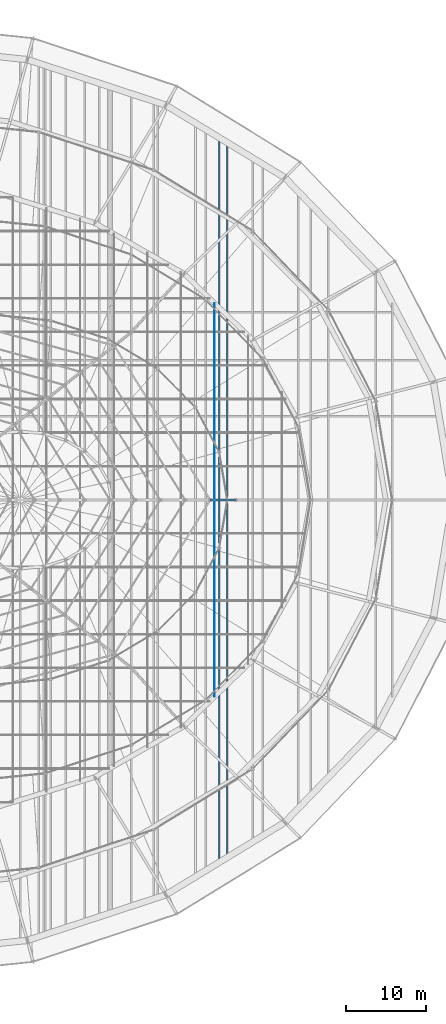
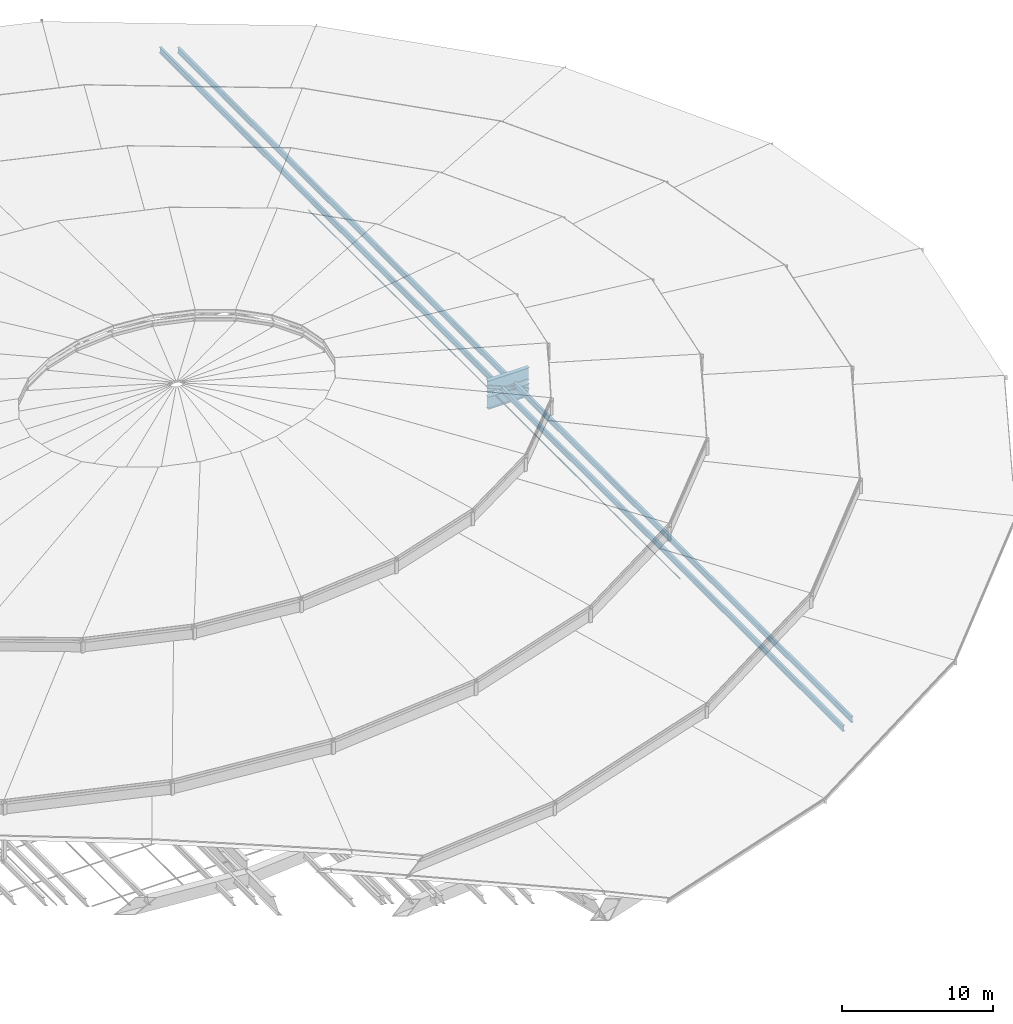
# One storey, part 92 of 184: 4 members, 2 beams.
"""IFC4 building model written with IfcOpenShell, lengths in metres."""

from ifc_helpers import new_model, si_unit, direction, frame, origin, origin_2d, place, context, subcontext, project, spatial, hollow_rectangle, circle, i_section, extrude, material, material_profile, profile_set, type_object, element, save


model = new_model("IFC4")

# Units and contexts
model_context = context("Model", 3, precision=1e-05, world=origin(), true_north=direction((0.0, 1.0)))
body_context = subcontext(model_context, "Body", "Model", "MODEL_VIEW")
ifc_project = project(units=[si_unit("LENGTHUNIT", "METRE"), si_unit("AREAUNIT", "SQUARE_METRE"), si_unit("VOLUMEUNIT", "CUBIC_METRE"), si_unit("PLANEANGLEUNIT", "RADIAN"), si_unit("MASSUNIT", "GRAM", prefix="KILO")], contexts=[model_context])

# Site, building, storey
site_placement = place(None, origin())
site = spatial("IfcSite", under=ifc_project, at=site_placement, CompositionType="ELEMENT")
building_placement = place(site_placement, origin())
building = spatial("IfcBuilding", under=site, at=building_placement, Name="Kalgoora Escarpment Arena", CompositionType="ELEMENT")
storey_placement = place(building_placement, frame((0.0, 0.0, 27.60009765625)))
storey = spatial("IfcBuildingStorey", under=building, at=storey_placement, Name="Roof Level", CompositionType="ELEMENT", Elevation=27.60009765625)

# Beams
ifc_material_1 = material(Name="Structural steel Grade 350 (350 MPa)", Category="steel")
ifc_material_profile_1 = material_profile(ifc_material_1, i_section(OverallWidth=0.300048828125, OverallDepth=1.010009765625, WebThickness=0.01611328125, FlangeThickness=0.030029296875, at=origin_2d()))
ifc_profile_set_1 = profile_set([ifc_material_profile_1], Name="Structural steel Grade 350 (350 MPa)")
beam_type = type_object("IfcBeamType", Name="BM-TRUSS-CHORD", PredefinedType="USERDEFINED", material=ifc_profile_set_1)
for number, where, z_axis, x_axis, name in (
    (1, (137.011962890625, 64.0, -1.650146484375), (-0.999998687203, 0.0, 0.001620368243), (0.0, -1.0, 0.0), "Radial ROOF TRUSS spine 1 bottom chord 2"),
    (2, (137.011962890625, 64.0, -0.35009765625), (-0.999994995918, 0.0, 0.003163564416), (0.0, -1.0, 0.0), "Radial ROOF TRUSS spine 1 top chord 2"),
):
    element("IfcBeam", number, at=place(storey_placement, frame(where, z_axis=z_axis, x_axis=x_axis)), inside=storey, type_object=beam_type, Name=name, ObjectType="GIRDER", PredefinedType="USERDEFINED", context=body_context, shape_type="SweptSolid", body=[
        extrude(i_section(OverallWidth=0.300048828125, OverallDepth=1.010009765625, WebThickness=0.01611328125, FlangeThickness=0.030029296875, at=origin_2d()), origin(), (0.0, 0.0, 1.0), 3.1640625),
    ])

# Members
ifc_material_2 = material(Name="High-tensile spiral strand steel Grade 450 (350 MPa)", Category="steel")
ifc_material_profile_2 = material_profile(ifc_material_2, circle(Radius=0.028076171875, at=origin_2d()))
ifc_profile_set_2 = profile_set([ifc_material_profile_2], Name="High-tensile spiral strand steel Grade 450 (350 MPa)")
member_type_1 = type_object("IfcMemberType", Name="MEM-CABLE-56", PredefinedType="USERDEFINED", material=ifc_profile_set_2)
member_1_placement = place(storey_placement, frame((134.39990234375, 39.399658203125, -1.190185546875), z_axis=(0.0, 1.0, 0.0), x_axis=(-1.0, 0.0, 0.0)))
element("IfcMember", 3, at=member_1_placement, inside=storey, type_object=member_type_1, Name="Roof saddle pretensioning cable Y-40", ObjectType="CABLE", PredefinedType="USERDEFINED", context=body_context, shape_type="SweptSolid", body=[
    extrude(circle(Radius=0.028076171875, at=origin_2d()), origin(), (0.0, 0.0, 1.0), 49.20068359375),
])
ifc_material_3 = material(Name="Structural steel AS/NZS 3679 (300 MPa)", Category="steel")
ifc_material_profile_3 = material_profile(ifc_material_3, i_section(OverallWidth=0.19091796875, OverallDepth=0.4599609375, WebThickness=0.010009765625, FlangeThickness=0.01611328125, at=origin_2d()))
ifc_profile_set_3 = profile_set([ifc_material_profile_3], Name="Structural steel AS/NZS 3679 (300 MPa)")
member_type_2 = type_object("IfcMemberType", Name="MEM-CARRIER-CHORD", PredefinedType="CHORD", material=ifc_profile_set_3)
member_2_placement = place(storey_placement, frame((136.0, 19.3271484375, -0.960205078125), z_axis=(0.0, 1.0, 0.0), x_axis=(-1.0, 0.0, 0.0)))
element("IfcMember", 4, at=member_2_placement, inside=storey, type_object=member_type_2, Name="Petal RP4 spanning carrier chord C01", PredefinedType="CHORD", context=body_context, shape_type="SweptSolid", body=[
    extrude(i_section(OverallWidth=0.19091796875, OverallDepth=0.4599609375, WebThickness=0.010009765625, FlangeThickness=0.01611328125, at=origin_2d()), origin(), (0.0, 0.0, 1.0), 89.345703125),
])
member_3_placement = place(storey_placement, frame((134.984619140625, 18.70849609375, -0.960205078125), z_axis=(0.0, 1.0, 0.0), x_axis=(-1.0, 0.0, 0.0)))
element("IfcMember", 5, at=member_3_placement, inside=storey, type_object=member_type_2, Name="Petal RP4 spanning carrier chord C02", PredefinedType="CHORD", context=body_context, shape_type="SweptSolid", body=[
    extrude(i_section(OverallWidth=0.19091796875, OverallDepth=0.4599609375, WebThickness=0.010009765625, FlangeThickness=0.01611328125, at=origin_2d()), origin(), (0.0, 0.0, 1.0), 90.5830078125),
])
ifc_material_4 = material(Name="Structural steel C350 (350 MPa)", Category="steel")
ifc_material_profile_4 = material_profile(ifc_material_4, hollow_rectangle(XDim=0.199951171875, YDim=0.199951171875, WallThickness=0.009033203125, at=origin_2d()))
ifc_profile_set_4 = profile_set([ifc_material_profile_4], Name="Structural steel C350 (350 MPa)")
member_type_3 = type_object("IfcMemberType", Name="MEM-TRUSS-DIAG", PredefinedType="BRACE", material=ifc_profile_set_4)
member_4_placement = place(storey_placement, frame((137.0, 64.0, -1.650146484375), z_axis=(-0.922892111594, 0.0, 0.385058632363), x_axis=(0.0, 1.0, 0.0)))
element("IfcMember", 6, at=member_4_placement, inside=storey, type_object=member_type_3, Name="Radial ROOF TRUSS spine 1 web diagonal 2", PredefinedType="BRACE", context=body_context, shape_type="SweptSolid", body=[
    extrude(hollow_rectangle(XDim=0.199951171875, YDim=0.199951171875, WallThickness=0.009033203125, at=origin_2d()), origin(), (0.0, 0.0, 1.0), 3.40234375),
])

save(model, "model.ifc")
